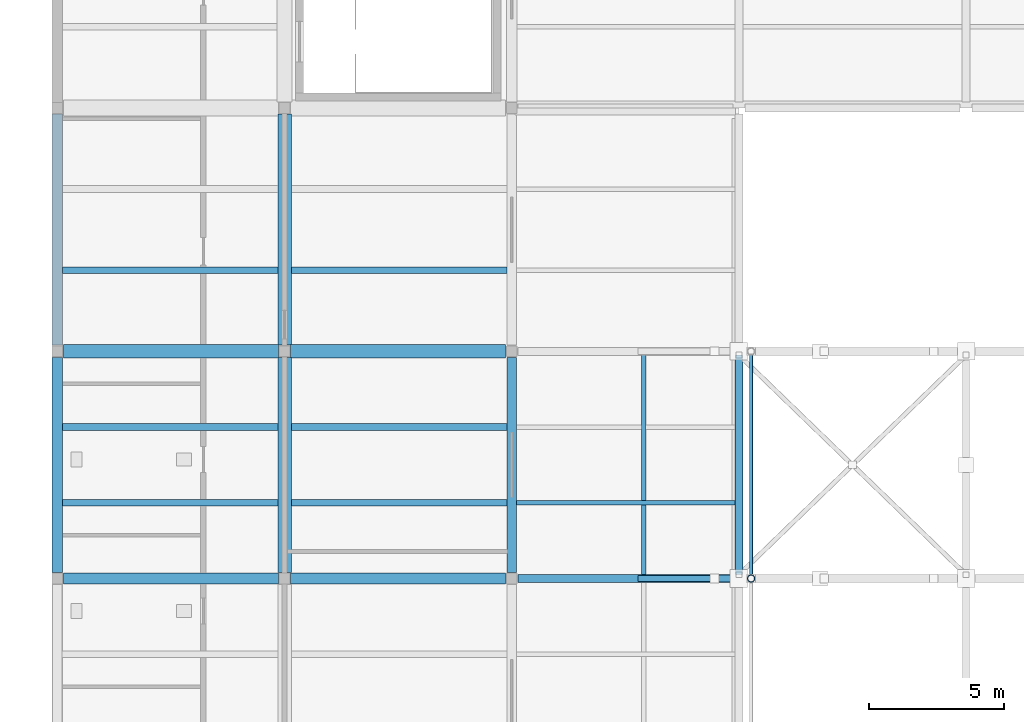
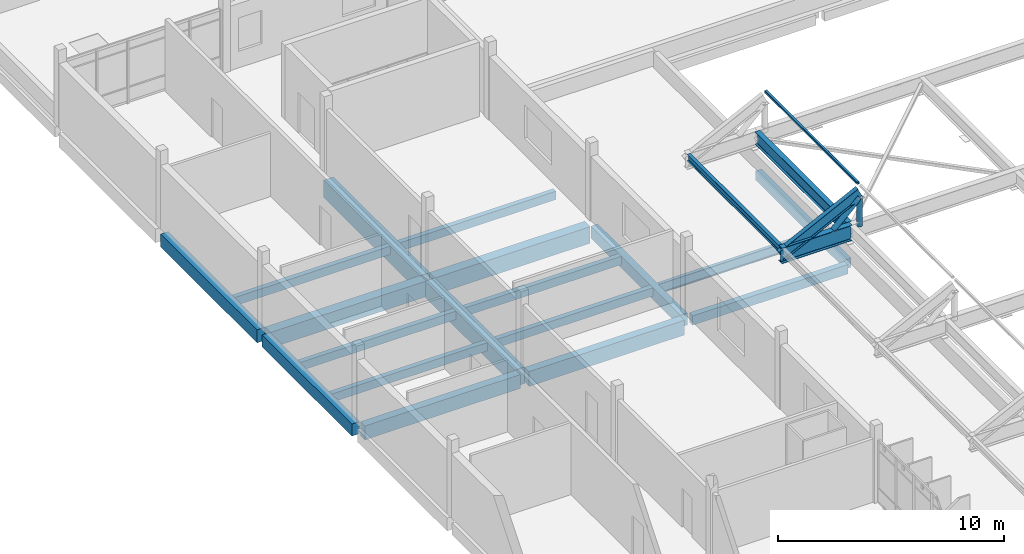
# One storey, part 15 of 41: 22 beams, 3 members.
"""IFC4 building model written with IfcOpenShell, lengths in metres."""

import ifcopenshell
import ifcopenshell.guid

model = None  # the IFC model being written
_history = None  # IfcOwnerHistory: only IFC2X3 demands one
_inside = {}  # id of a spatial element -> (the spatial element, [elements in it])
_under = {}  # id of a project, library or spatial element -> (it, [spatial elements below it])
_declared = {}  # id of a project -> (the project, [libraries it declares])
_typed = {}  # id of a type object -> (the type object, [elements of that type])
_made_of = {}  # id of a material, layer set ... -> (it, [elements and type objects made of it])


def new_model(schema):
    """Start an empty IFC model of exactly this schema.

    Asked for "IFC4X3", IfcOpenShell would pick the latest addendum, in which some entities
    have other attributes; the version numbers below select the first issue.
    IFC2X3 requires an IfcOwnerHistory on every rooted entity: one is made here for all.
    """
    global model, _history
    if schema == "IFC4X3":
        model = ifcopenshell.file(schema_version=(4, 3, 0, 0))
    else:
        model = ifcopenshell.file(schema=schema)
    _inside.clear()
    _under.clear()
    _declared.clear()
    _typed.clear()
    _made_of.clear()
    _history = None
    if model.schema == "IFC2X3":
        org = make("IfcOrganization", Name="unknown")
        user = make(
            "IfcPersonAndOrganization",
            ThePerson=make("IfcPerson", FamilyName="unknown"),
            TheOrganization=org,
        )
        app = make(
            "IfcApplication",
            ApplicationDeveloper=org,
            Version="unknown",
            ApplicationFullName="unknown",
            ApplicationIdentifier="unknown",
        )
        _history = make(
            "IfcOwnerHistory",
            OwningUser=user,
            OwningApplication=app,
            ChangeAction="ADDED",
            CreationDate=0,
        )
    return model


def make(cls, **values):
    """One entity of the class cls with the attributes given. An attribute that is None is left unset."""
    return model.create_entity(
        cls, **{name: value for name, value in values.items() if value is not None}
    )


def rooted(cls, **values):
    """An entity with a GlobalId (a new one), such as an element, a storey or a relation."""
    return make(cls, GlobalId=ifcopenshell.guid.new(), OwnerHistory=_history, **values)


def si_unit(unit_type, name, prefix=None):
    """IfcSIUnit, for example si_unit("LENGTHUNIT", "METRE", prefix="MILLI")."""
    return make("IfcSIUnit", UnitType=unit_type, Prefix=prefix, Name=name)


def assignment(units):
    """IfcUnitAssignment: the units of a project."""
    return None if units is None else make("IfcUnitAssignment", Units=units)


def point(xyz):
    """IfcCartesianPoint."""
    return None if xyz is None else make("IfcCartesianPoint", Coordinates=xyz)


def direction(xyz):
    """IfcDirection."""
    return None if xyz is None else make("IfcDirection", DirectionRatios=xyz)


def frame(location, z_axis=None, x_axis=None):
    """IfcAxis2Placement3D, a coordinate frame: its origin and axes. An axis left out is left unset."""
    return make(
        "IfcAxis2Placement3D",
        Location=point(location),
        Axis=direction(z_axis),
        RefDirection=direction(x_axis),
    )


def frame_2d(location, x_axis=None):
    """IfcAxis2Placement2D, a coordinate frame in the plane: its origin and x axis."""
    return make(
        "IfcAxis2Placement2D", Location=point(location), RefDirection=direction(x_axis)
    )


def origin():
    """The frame at (0, 0, 0) with its axes left unset."""
    return frame((0.0, 0.0, 0.0))


def origin_2d():
    """The frame at (0, 0) in the plane with its x axis left unset."""
    return frame_2d((0.0, 0.0))


def place(relative_to, where):
    """IfcLocalPlacement: puts the frame where relative to a parent placement (None: the world)."""
    return make(
        "IfcLocalPlacement", PlacementRelTo=relative_to, RelativePlacement=where
    )


def context(
    kind, dimensions, precision=None, world=None, true_north=None, identifier=None
):
    """IfcGeometricRepresentationContext, for example the 3D "Model" context."""
    return make(
        "IfcGeometricRepresentationContext",
        ContextIdentifier=identifier,
        ContextType=kind,
        CoordinateSpaceDimension=dimensions,
        Precision=precision,
        WorldCoordinateSystem=world,
        TrueNorth=true_north,
    )


def subcontext(parent, identifier, kind, view, scale=None):
    """IfcGeometricRepresentationSubContext, for example "Body" below "Model"."""
    return make(
        "IfcGeometricRepresentationSubContext",
        ContextIdentifier=identifier,
        ContextType=kind,
        ParentContext=parent,
        TargetScale=scale,
        TargetView=view,
    )


def project(units=None, contexts=None):
    """IfcProject with its units and contexts."""
    return rooted(
        "IfcProject",
        Name="project",
        RepresentationContexts=contexts,
        UnitsInContext=assignment(units),
    )


def spatial(cls, under=None, at=None, **own):
    """A site, building, storey or space (cls), placed at a placement, below another one or the project."""
    s = rooted(cls, ObjectPlacement=at, **own)
    if under is not None:
        _under.setdefault(under.id(), (under, []))[1].append(s)
    return s


def profile(cls, at=None, kind="AREA", **sizes):
    """A parametric profile (cls). Its sizes go by their IFC names, for example OverallWidth=200.0."""
    return make(cls, ProfileType=kind, Position=at, **sizes)


def rectangle(**sizes):
    """IfcRectangleProfileDef."""
    return profile("IfcRectangleProfileDef", **sizes)


def hollow_rectangle(**sizes):
    """IfcRectangleHollowProfileDef."""
    return profile("IfcRectangleHollowProfileDef", **sizes)


def hollow_circle(**sizes):
    """IfcCircleHollowProfileDef."""
    return profile("IfcCircleHollowProfileDef", **sizes)


def i_section(**sizes):
    """IfcIShapeProfileDef."""
    return profile("IfcIShapeProfileDef", **sizes)


def extrude(swept, where, along, depth):
    """IfcExtrudedAreaSolid: the profile swept, set in the frame where, extruded along a direction by depth."""
    return make(
        "IfcExtrudedAreaSolid",
        SweptArea=swept,
        Position=where,
        ExtrudedDirection=direction(along),
        Depth=depth,
    )


def shape(context_of_items, identifier, shape_type, items):
    """IfcShapeRepresentation: the items that make up one representation, for example the "Body"."""
    return make(
        "IfcShapeRepresentation",
        ContextOfItems=context_of_items,
        RepresentationIdentifier=identifier,
        RepresentationType=shape_type,
        Items=items,
    )


def material(Name=None, Category=None):
    """IfcMaterial."""
    return make("IfcMaterial", Name=Name, Category=Category)


def material_profile(
    of_material, cross_section, Name=None, Category=None, Priority=None
):
    """IfcMaterialProfile: a cross section and its material."""
    return make(
        "IfcMaterialProfile",
        Name=Name,
        Material=of_material,
        Profile=cross_section,
        Priority=Priority,
        Category=Category,
    )


def profile_set(profiles, Name=None, composite=None):
    """IfcMaterialProfileSet."""
    return make(
        "IfcMaterialProfileSet",
        Name=Name,
        MaterialProfiles=profiles,
        CompositeProfile=composite,
    )


def made_of(thing, what):
    """Note that an element or type object is made of a material, layer set ...; save() writes the relation."""
    if what is not None:
        _made_of.setdefault(what.id(), (what, []))[1].append(thing)
    return thing


def type_object(cls, material=None, **own):
    """A type object (cls), such as IfcWallType, which elements share."""
    return made_of(rooted(cls, **own), material)


def element(
    cls,
    number,
    at=None,
    inside=None,
    cuts=None,
    type_object=None,
    material=None,
    context=None,
    identifier="Body",
    shape_type=None,
    held_by="IfcProductDefinitionShape",
    body=None,
    shapes=None,
    **own,
):
    """One element of the class cls, such as IfcWall. Its Tag is "e" and its number.

    at: its placement. inside: the storey or other place that contains it. cuts: it is an
    opening in that element (IfcRelVoidsElement). A single representation is given by context,
    identifier, shape_type and body (its items); several are given by shapes. held_by: the class
    of the entity that holds the representations. save() writes the other relations.
    """
    e = rooted(cls, Tag="e%d" % number, ObjectPlacement=at, **own)
    if body is not None:
        shapes = [shape(context, identifier, shape_type, body)]
    if shapes is not None:
        e.Representation = make(held_by, Representations=shapes)
    if inside is not None:
        _inside.setdefault(inside.id(), (inside, []))[1].append(e)
    if cuts is not None:
        rooted(
            "IfcRelVoidsElement", RelatingBuildingElement=cuts, RelatedOpeningElement=e
        )
    if type_object is not None:
        _typed.setdefault(type_object.id(), (type_object, []))[1].append(e)
    return made_of(e, material)


def aggregate(whole, parts):
    """IfcRelAggregates: a whole, such as a stair, and the parts it consists of."""
    return rooted("IfcRelAggregates", RelatingObject=whole, RelatedObjects=parts)


def save(model, path):
    """Write the relations noted so far, then the file.

    IfcRelAggregates (storeys below a building ...), IfcRelContainedInSpatialStructure (elements
    in a storey), IfcRelDefinesByType, IfcRelAssociatesMaterial and IfcRelDeclares: one each for
    every whole, place, type object, material and project.
    """
    for whole, parts in _under.values():
        aggregate(whole, parts)
    for where, things in _inside.values():
        rooted(
            "IfcRelContainedInSpatialStructure",
            RelatedElements=things,
            RelatingStructure=where,
        )
    for kind, things in _typed.values():
        rooted("IfcRelDefinesByType", RelatedObjects=things, RelatingType=kind)
    for what, things in _made_of.values():
        rooted("IfcRelAssociatesMaterial", RelatedObjects=things, RelatingMaterial=what)
    for by, libraries in _declared.values():
        rooted("IfcRelDeclares", RelatingContext=by, RelatedDefinitions=libraries)
    model.write(path)


model = new_model("IFC4")

# Units and contexts
model_context = context("Model", 3, precision=1e-05, world=origin(), true_north=direction((0.0, 1.0)))
body_context = subcontext(model_context, "Body", "Model", "MODEL_VIEW")
ifc_project = project(units=[si_unit("LENGTHUNIT", "METRE"), si_unit("AREAUNIT", "SQUARE_METRE"), si_unit("VOLUMEUNIT", "CUBIC_METRE"), si_unit("PLANEANGLEUNIT", "RADIAN"), si_unit("MASSUNIT", "GRAM", prefix="KILO")], contexts=[model_context])

# Site, building, storey
site_placement = place(None, origin())
site = spatial("IfcSite", under=ifc_project, at=site_placement, CompositionType="ELEMENT")
building_placement = place(site_placement, origin())
building = spatial("IfcBuilding", under=site, at=building_placement, Name="Vireocrest Preparatory School", CompositionType="ELEMENT")
storey_placement = place(building_placement, frame((0.0, 0.0, 21.60009765625)))
storey = spatial("IfcBuildingStorey", under=building, at=storey_placement, Name="L05", CompositionType="ELEMENT", Elevation=21.60009765625)

# Beam
ifc_material_1 = material(Name="Structural steel ASTM A992 Grade 50", Category="steel")
ifc_material_profile_1 = material_profile(ifc_material_1, i_section(OverallWidth=0.25390625, OverallDepth=0.68408203125, WebThickness=0.012451171875, FlangeThickness=0.018798828125, FilletRadius=0.01806640625, at=origin_2d()), Name="W27X94")
ifc_profile_set_1 = profile_set([ifc_material_profile_1], Name="Structural steel ASTM A992 Grade 50")
beam_type_1 = type_object("IfcBeamType", Name="Bridge Primary Steel Girder W27X94", PredefinedType="BEAM", material=ifc_profile_set_1)
beam_1_placement = place(storey_placement, frame((67.199951171875, 77.5439453125, 1.492919921875), z_axis=(0.0, 1.0, 0.0), x_axis=(-1.0, 0.0, 0.0)))
element("IfcBeam", 1, at=beam_1_placement, inside=storey, type_object=beam_type_1, Name="Canopy Longitudinal Beam WO-7", PredefinedType="BEAM", context=body_context, shape_type="SweptSolid", body=[
    extrude(i_section(OverallWidth=0.25390625, OverallDepth=0.68408203125, WebThickness=0.012451171875, FlangeThickness=0.018798828125, FilletRadius=0.01806640625, at=origin_2d()), origin(), (0.0, 0.0, 1.0), 8.112060546875),
])

# Member
ifc_material_2 = material(Name="Painted white steel ASTM A500 Grade C", Category="steel")
ifc_material_profile_2 = material_profile(ifc_material_2, hollow_rectangle(XDim=0.126953125, YDim=0.126953125, WallThickness=0.0087890625, InnerFilletRadius=0.0087890625, OuterFilletRadius=0.017822265625, at=origin_2d()), Name="HSS5X5X3/8")
ifc_profile_set_2 = profile_set([ifc_material_profile_2], Name="Painted white steel ASTM A500 Grade C")
member_type_1 = type_object("IfcMemberType", Name="Canopy Glass Steel Purlin HSS5X5X3/8", PredefinedType="PURLIN", material=ifc_profile_set_2)
member_1_placement = place(storey_placement, frame((67.64990234375, 77.510009765625, 3.7919921875), z_axis=(0.0, 1.0, 0.0), x_axis=(-1.0, 0.0, 0.0)))
element("IfcMember", 2, at=member_1_placement, inside=storey, type_object=member_type_1, Name="Canopy Glass Purlin PR2-7-2", PredefinedType="PURLIN", context=body_context, shape_type="SweptSolid", body=[
    extrude(hollow_rectangle(XDim=0.126953125, YDim=0.126953125, WallThickness=0.0087890625, InnerFilletRadius=0.0087890625, OuterFilletRadius=0.017822265625, at=origin_2d()), origin(), (0.0, 0.0, 1.0), 8.179931640625),
])

# Beams
ifc_material_profile_3 = material_profile(ifc_material_1, i_section(OverallWidth=0.2919921875, OverallDepth=0.8349609375, WebThickness=0.013916015625, FlangeThickness=0.018798828125, FilletRadius=0.02001953125, at=origin_2d()), Name="W33X118")
ifc_profile_set_3 = profile_set([ifc_material_profile_3], Name="Structural steel ASTM A992 Grade 50")
beam_type_2 = type_object("IfcBeamType", Name="Central Court Canopy Primary Girder W33X118", PredefinedType="BEAM", material=ifc_profile_set_3)
beam_2_placement = place(storey_placement, frame((63.60009765625, 77.39990234375, 1.41748046875), z_axis=(1.0, 0.0, 0.0), x_axis=(0.0, 1.0, 0.0)))
element("IfcBeam", 3, at=beam_2_placement, inside=storey, type_object=beam_type_2, Name="Central Court Canopy Primary Girder CG1-7W", PredefinedType="BEAM", context=body_context, shape_type="SweptSolid", body=[
    extrude(i_section(OverallWidth=0.2919921875, OverallDepth=0.8349609375, WebThickness=0.013916015625, FlangeThickness=0.018798828125, FilletRadius=0.02001953125, at=origin_2d()), origin(), (0.0, 0.0, 1.0), 3.599853515625),
])
ifc_material_profile_4 = material_profile(ifc_material_1, i_section(OverallWidth=0.22802734375, OverallDepth=0.60302734375, WebThickness=0.010498046875, FlangeThickness=0.014892578125, FilletRadius=0.01611328125, at=origin_2d()), Name="W24X68")
ifc_profile_set_4 = profile_set([ifc_material_profile_4], Name="Structural steel ASTM A992 Grade 50")
beam_type_3 = type_object("IfcBeamType", Name="Dining Pavilion Roof Girder W24X68", PredefinedType="BEAM", material=ifc_profile_set_4)
beam_3_placement = place(storey_placement, frame((63.60009765625, 77.39990234375, 1.374267578125), z_axis=(0.894858343539, 0.0, 0.446350249243), x_axis=(0.0, 1.0, 0.0)))
element("IfcBeam", 4, at=beam_3_placement, inside=storey, type_object=beam_type_3, Name="Canopy Rafter Chord SB4-7-1", PredefinedType="BEAM", context=body_context, shape_type="SweptSolid", body=[
    extrude(i_section(OverallWidth=0.22802734375, OverallDepth=0.60302734375, WebThickness=0.010498046875, FlangeThickness=0.014892578125, FilletRadius=0.01611328125, at=origin_2d()), origin(), (0.0, 0.0, 1.0), 4.525634765625),
])
ifc_material_profile_5 = material_profile(ifc_material_1, i_section(OverallWidth=0.172119140625, OverallDepth=0.35791015625, WebThickness=0.0078125, FlangeThickness=0.01318359375, FilletRadius=0.012939453125, at=origin_2d()), Name="W14X38")
ifc_profile_set_5 = profile_set([ifc_material_profile_5], Name="Structural steel ASTM A992 Grade 50")
beam_type_4 = type_object("IfcBeamType", Name="Entrance Canopy Header Lintel W14X38", PredefinedType="USERDEFINED", material=ifc_profile_set_5)
beam_4_placement = place(storey_placement, frame((63.679931640625, 77.5439453125, 1.656005859375), z_axis=(0.0, 1.0, 0.0), x_axis=(-1.0, 0.0, 0.0)))
element("IfcBeam", 5, at=beam_4_placement, inside=storey, type_object=beam_type_4, Name="Canopy Longitudinal Beam WTIP-7", ObjectType="LINTEL", PredefinedType="USERDEFINED", context=body_context, shape_type="SweptSolid", body=[
    extrude(i_section(OverallWidth=0.172119140625, OverallDepth=0.35791015625, WebThickness=0.0078125, FlangeThickness=0.01318359375, FilletRadius=0.012939453125, at=origin_2d()), origin(), (0.0, 0.0, 1.0), 8.112060546875),
])
ifc_material_profile_6 = material_profile(ifc_material_1, i_section(OverallWidth=0.166015625, OverallDepth=0.529052734375, WebThickness=0.009765625, FlangeThickness=0.013671875, FilletRadius=0.014892578125, at=origin_2d()), Name="W21X50")
ifc_profile_set_6 = profile_set([ifc_material_profile_6], Name="Structural steel ASTM A992 Grade 50")
beam_type_5 = type_object("IfcBeamType", Name="Pavilion Roof Joist W21X50", PredefinedType="JOIST", material=ifc_profile_set_6)
beam_5_placement = place(storey_placement, frame((58.97509765625, 80.199951171875, -0.484619140625), z_axis=(1.0, 0.0, 0.0), x_axis=(0.0, 1.0, 0.0)))
element("IfcBeam", 6, at=beam_5_placement, inside=storey, type_object=beam_type_5, Name="Secondary Joist SJ1 L05-1649", PredefinedType="JOIST", context=body_context, shape_type="SweptSolid", body=[
    extrude(i_section(OverallWidth=0.166015625, OverallDepth=0.529052734375, WebThickness=0.009765625, FlangeThickness=0.013671875, FilletRadius=0.014892578125, at=origin_2d()), origin(), (0.0, 0.0, 1.0), 8.074951171875),
])
ifc_material_3 = material(Name="Concrete 40 MPa", Category="concrete")
ifc_material_profile_7 = material_profile(ifc_material_3, rectangle(XDim=0.5, YDim=0.949951171875, at=origin_2d()), Name="RC 500x950")
ifc_profile_set_7 = profile_set([ifc_material_profile_7], Name="Concrete 40 MPa")
beam_type_6 = type_object("IfcBeamType", Name="RC Basement Ceiling Girder 500x950", PredefinedType="BEAM", material=ifc_profile_set_7)
beam_6_placement = place(storey_placement, frame((50.39990234375, 86.02490234375, -0.735107421875), z_axis=(0.0, 1.0, 0.0), x_axis=(-1.0, 0.0, 0.0)))
element("IfcBeam", 7, at=beam_6_placement, inside=storey, type_object=beam_type_6, Name="Primary Girder B16 L05-1575", PredefinedType="BEAM", context=body_context, shape_type="SweptSolid", body=[
    extrude(rectangle(XDim=0.5, YDim=0.949951171875, at=origin_2d()), origin(), (0.0, 0.0, 1.0), 8.550048828125),
])
ifc_material_profile_8 = material_profile(ifc_material_3, rectangle(XDim=0.35009765625, YDim=0.64990234375, at=origin_2d()), Name="RC 350x650")
ifc_profile_set_8 = profile_set([ifc_material_profile_8], Name="Concrete 40 MPa")
beam_type_7 = type_object("IfcBeamType", Name="RC Classroom Girder 350x650", PredefinedType="BEAM", material=ifc_profile_set_8)
beam_7_placement = place(storey_placement, frame((58.800048828125, 77.625, -0.585205078125), z_axis=(0.0, 1.0, 0.0), x_axis=(-1.0, 0.0, 0.0)))
element("IfcBeam", 8, at=beam_7_placement, inside=storey, type_object=beam_type_7, Name="Primary Girder B05 L05-1582", PredefinedType="BEAM", context=body_context, shape_type="SweptSolid", body=[
    extrude(rectangle(XDim=0.35009765625, YDim=0.64990234375, at=origin_2d()), origin(), (0.0, 0.0, 1.0), 7.949951171875),
])
ifc_material_profile_9 = material_profile(ifc_material_3, rectangle(XDim=0.39990234375, YDim=0.75, at=origin_2d()), Name="RC 400x750")
ifc_profile_set_9 = profile_set([ifc_material_profile_9], Name="Concrete 40 MPa")
beam_type_8 = type_object("IfcBeamType", Name="RC Commons Girder 400x750", PredefinedType="BEAM", material=ifc_profile_set_9)
beam_8_placement = place(storey_placement, frame((42.22509765625, 77.39990234375, -0.635009765625), z_axis=(1.0, 0.0, 0.0), x_axis=(0.0, 1.0, 0.0)))
element("IfcBeam", 9, at=beam_8_placement, inside=storey, type_object=beam_type_8, Name="Primary Girder B09 L05-1537", PredefinedType="BEAM", context=body_context, shape_type="SweptSolid", body=[
    extrude(rectangle(XDim=0.39990234375, YDim=0.75, at=origin_2d()), origin(), (0.0, 0.0, 1.0), 7.949951171875),
])
ifc_material_profile_10 = material_profile(ifc_material_3, rectangle(XDim=0.39990234375, YDim=0.699951171875, at=origin_2d()), Name="RC 400x700")
ifc_profile_set_10 = profile_set([ifc_material_profile_10], Name="Concrete 40 MPa")
beam_type_9 = type_object("IfcBeamType", Name="RC Corridor Girder 400x700", PredefinedType="BEAM", material=ifc_profile_set_10)
beam_9_placement = place(storey_placement, frame((42.0, 86.02490234375, -0.610107421875), z_axis=(0.0, 1.0, 0.0), x_axis=(-1.0, 0.0, 0.0)))
element("IfcBeam", 10, at=beam_9_placement, inside=storey, type_object=beam_type_9, Name="Primary Girder B08 L05-1567", PredefinedType="BEAM", context=body_context, shape_type="SweptSolid", body=[
    extrude(rectangle(XDim=0.39990234375, YDim=0.699951171875, at=origin_2d()), origin(), (0.0, 0.0, 1.0), 8.550048828125),
])
ifc_material_profile_11 = material_profile(ifc_material_3, rectangle(XDim=0.39990234375, YDim=0.64990234375, at=origin_2d()), Name="RC 400x650")
ifc_profile_set_11 = profile_set([ifc_material_profile_11], Name="Concrete 40 MPa")
beam_type_10 = type_object("IfcBeamType", Name="RC Laboratory Girder 400x650", PredefinedType="BEAM", material=ifc_profile_set_11)
beam_10_placement = place(storey_placement, frame((42.0, 77.625, -0.585205078125), z_axis=(0.0, 1.0, 0.0), x_axis=(-1.0, 0.0, 0.0)))
element("IfcBeam", 11, at=beam_10_placement, inside=storey, type_object=beam_type_10, Name="Primary Girder B07 L05-1566", PredefinedType="BEAM", context=body_context, shape_type="SweptSolid", body=[
    extrude(rectangle(XDim=0.39990234375, YDim=0.64990234375, at=origin_2d()), origin(), (0.0, 0.0, 1.0), 7.949951171875),
])
ifc_material_profile_12 = material_profile(ifc_material_3, rectangle(XDim=0.39990234375, YDim=0.800048828125, at=origin_2d()), Name="RC 400x800")
ifc_profile_set_12 = profile_set([ifc_material_profile_12], Name="Concrete 40 MPa")
beam_type_11 = type_object("IfcBeamType", Name="RC Library Reading Girder 400x800", PredefinedType="BEAM", material=ifc_profile_set_12)
beam_11_placement = place(storey_placement, frame((50.625, 77.39990234375, -0.66015625), z_axis=(1.0, 0.0, 0.0), x_axis=(0.0, 1.0, 0.0)))
element("IfcBeam", 12, at=beam_11_placement, inside=storey, type_object=beam_type_11, Name="Primary Girder B10 L05-1538", PredefinedType="BEAM", context=body_context, shape_type="SweptSolid", body=[
    extrude(rectangle(XDim=0.39990234375, YDim=0.800048828125, at=origin_2d()), origin(), (0.0, 0.0, 1.0), 7.949951171875),
])
ifc_material_profile_13 = material_profile(ifc_material_3, rectangle(XDim=0.5, YDim=0.85009765625, at=origin_2d()), Name="RC 500x850")
ifc_profile_set_13 = profile_set([ifc_material_profile_13], Name="Concrete 40 MPa")
beam_type_12 = type_object("IfcBeamType", Name="RC Podium Girder 500x850", PredefinedType="BEAM", material=ifc_profile_set_13)
beam_12_placement = place(storey_placement, frame((42.22509765625, 85.800048828125, -0.68505859375), z_axis=(1.0, 0.0, 0.0), x_axis=(0.0, 1.0, 0.0)))
element("IfcBeam", 13, at=beam_12_placement, inside=storey, type_object=beam_type_12, Name="Primary Girder B14 L05-1542", PredefinedType="BEAM", context=body_context, shape_type="SweptSolid", body=[
    extrude(rectangle(XDim=0.5, YDim=0.85009765625, at=origin_2d()), origin(), (0.0, 0.0, 1.0), 7.949951171875),
])
ifc_material_profile_14 = material_profile(ifc_material_3, rectangle(XDim=0.5, YDim=0.89990234375, at=origin_2d()), Name="RC 500x900")
ifc_profile_set_14 = profile_set([ifc_material_profile_14], Name="Concrete 40 MPa")
beam_type_13 = type_object("IfcBeamType", Name="RC Podium Girder 500x900", PredefinedType="BEAM", material=ifc_profile_set_14)
for number, where, z_axis, x_axis, name in (
    (14, (50.625, 85.800048828125, -0.710205078125), (1.0, 0.0, 0.0), (0.0, 1.0, 0.0), "Primary Girder B15 L05-1543"),
    (15, (50.39990234375, 77.625, -0.710205078125), (0.0, 1.0, 0.0), (-1.0, 0.0, 0.0), "Primary Girder B15 L05-1574"),
):
    element("IfcBeam", number, at=place(storey_placement, frame(where, z_axis=z_axis, x_axis=x_axis)), inside=storey, type_object=beam_type_13, Name=name, PredefinedType="BEAM", context=body_context, shape_type="SweptSolid", body=[
        extrude(rectangle(XDim=0.5, YDim=0.89990234375, at=origin_2d()), origin(), (0.0, 0.0, 1.0), 7.949951171875),
    ])
ifc_material_profile_15 = material_profile(ifc_material_3, rectangle(XDim=0.300048828125, YDim=0.5, at=origin_2d()), Name="RC 300x500")
ifc_profile_set_15 = profile_set([ifc_material_profile_15], Name="Concrete 40 MPa")
beam_type_14 = type_object("IfcBeamType", Name="RC Roof Edge Beam 300x500", PredefinedType="BEAM", material=ifc_profile_set_15)
beam_13_placement = place(storey_placement, frame((59.02490234375, 77.39990234375, -0.47021484375), z_axis=(1.0, 0.0, 0.0), x_axis=(0.0, 1.0, 0.0)))
element("IfcBeam", 16, at=beam_13_placement, inside=storey, type_object=beam_type_14, Name="Primary Girder B01 L05-1539", PredefinedType="BEAM", context=body_context, shape_type="SweptSolid", body=[
    extrude(rectangle(XDim=0.300048828125, YDim=0.5, at=origin_2d()), origin(), (0.0, 0.0, 1.0), 7.9501953125),
])
beam_14_placement = place(storey_placement, frame((67.199951171875, 77.625, -0.47021484375), z_axis=(0.0, 1.0, 0.0), x_axis=(-1.0, 0.0, 0.0)))
element("IfcBeam", 17, at=beam_14_placement, inside=storey, type_object=beam_type_14, Name="Primary Girder B01 L05-1590", PredefinedType="BEAM", context=body_context, shape_type="SweptSolid", body=[
    extrude(rectangle(XDim=0.300048828125, YDim=0.5, at=origin_2d()), origin(), (0.0, 0.0, 1.0), 7.949951171875),
])
ifc_material_profile_16 = material_profile(ifc_material_3, rectangle(XDim=0.25, YDim=0.449951171875, at=origin_2d()), Name="RC 250x450")
ifc_profile_set_16 = profile_set([ifc_material_profile_16], Name="Concrete 40 MPa")
beam_type_15 = type_object("IfcBeamType", Name="RC Secondary Floor Joist 250x450", PredefinedType="JOIST", material=ifc_profile_set_16)
for number, where, z_axis, x_axis, name in (
    (18, (42.199951171875, 80.199951171875, -0.485107421875), (1.0, 0.0, 0.0), (0.0, 1.0, 0.0), "Secondary Joist J01 L05-1621"),
    (19, (42.199951171875, 83.0, -0.485107421875), (1.0, 0.0, 0.0), (0.0, 1.0, 0.0), "Secondary Joist J01 L05-1622"),
    (20, (42.199951171875, 88.800048828125, -0.485107421875), (1.0, 0.0, 0.0), (0.0, 1.0, 0.0), "Secondary Joist J01 L05-1623"),
):
    element("IfcBeam", number, at=place(storey_placement, frame(where, z_axis=z_axis, x_axis=x_axis)), inside=storey, type_object=beam_type_15, Name=name, PredefinedType="JOIST", context=body_context, shape_type="SweptSolid", body=[
        extrude(rectangle(XDim=0.25, YDim=0.449951171875, at=origin_2d()), origin(), (0.0, 0.0, 1.0), 7.949951171875),
    ])
for number, where, z_axis, x_axis, name in (
    (21, (50.64990234375, 80.199951171875, -0.485107421875), (1.0, 0.0, 0.0), (0.0, 1.0, 0.0), "Secondary Joist J01 L05-1635"),
    (22, (50.64990234375, 83.0, -0.485107421875), (1.0, 0.0, 0.0), (0.0, 1.0, 0.0), "Secondary Joist J01 L05-1636"),
    (23, (50.64990234375, 88.800048828125, -0.485107421875), (1.0, 0.0, 0.0), (0.0, 1.0, 0.0), "Secondary Joist J01 L05-1637"),
):
    element("IfcBeam", number, at=place(storey_placement, frame(where, z_axis=z_axis, x_axis=x_axis)), inside=storey, type_object=beam_type_15, Name=name, PredefinedType="JOIST", context=body_context, shape_type="SweptSolid", body=[
        extrude(rectangle(XDim=0.25, YDim=0.449951171875, at=origin_2d()), origin(), (0.0, 0.0, 1.0), 7.97509765625),
    ])

# Members
ifc_material_profile_17 = material_profile(ifc_material_2, hollow_circle(Radius=0.136474609375, WallThickness=0.0126953125, at=origin_2d()), Name="HSS10.750X0.500")
ifc_profile_set_17 = profile_set([ifc_material_profile_17], Name="Painted white steel ASTM A500 Grade C")
member_type_2 = type_object("IfcMemberType", Name="White Steel Clerestory Strut HSS10.750X0.500", PredefinedType="USERDEFINED", material=ifc_profile_set_17)
member_2_placement = place(storey_placement, frame((67.64990234375, 77.39990234375, 1.577392578125), z_axis=(0.0, 0.0, 1.0), x_axis=(1.0, 0.0, 0.0)))
element("IfcMember", 24, at=member_2_placement, inside=storey, type_object=member_type_2, Name="Canopy Truss Web Vertical VS3-7-2", ObjectType="STRUT", PredefinedType="USERDEFINED", context=body_context, shape_type="SweptSolid", body=[
    extrude(hollow_circle(Radius=0.136474609375, WallThickness=0.0126953125, at=origin_2d()), origin(), (0.0, 0.0, 1.0), 1.54052734375),
])
member_3_placement = place(storey_placement, frame((66.300048828125, 77.39990234375, 1.81494140625), z_axis=(0.719488902292, 0.0, 0.694503937698), x_axis=(0.0, 1.0, 0.0)))
element("IfcMember", 25, at=member_3_placement, inside=storey, type_object=member_type_2, Name="Canopy Truss Web Strut VS3-7-1", ObjectType="STRUT", PredefinedType="USERDEFINED", context=body_context, shape_type="SweptSolid", body=[
    extrude(hollow_circle(Radius=0.136474609375, WallThickness=0.0126953125, at=origin_2d()), origin(), (0.0, 0.0, 1.0), 1.876220703125),
])

save(model, "model.ifc")
